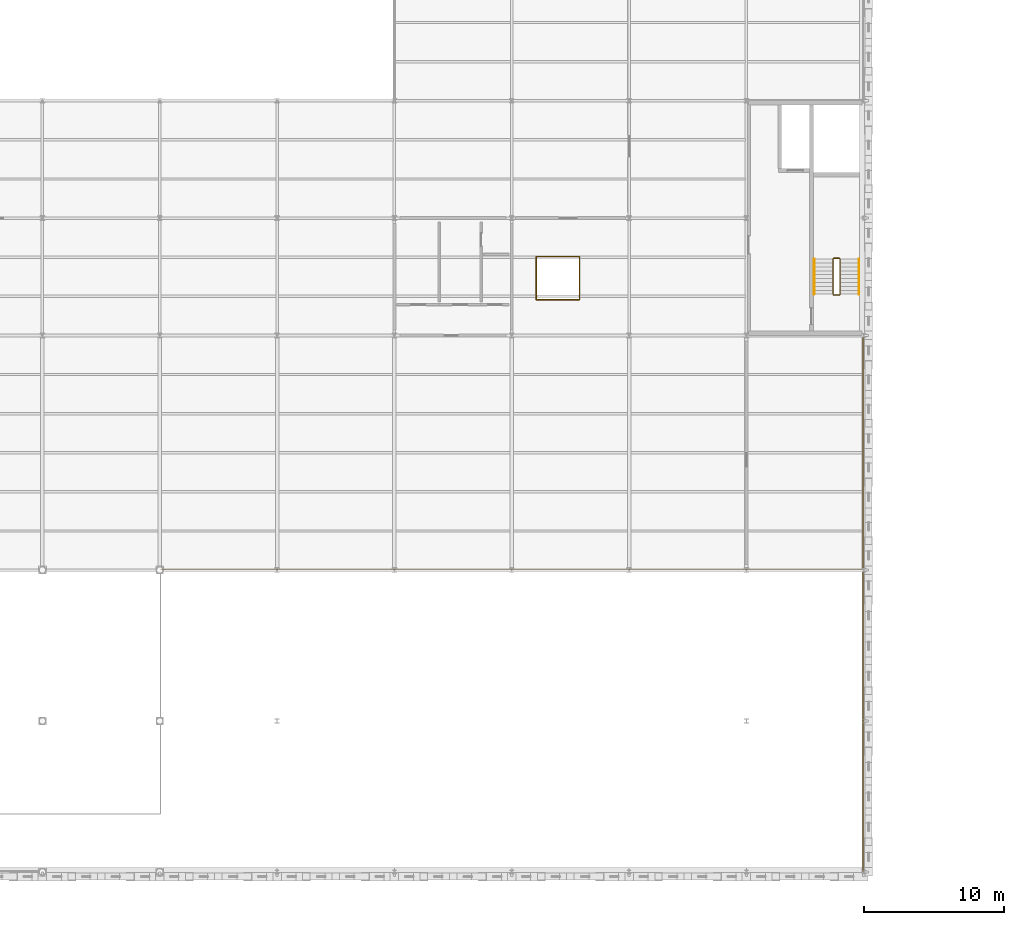
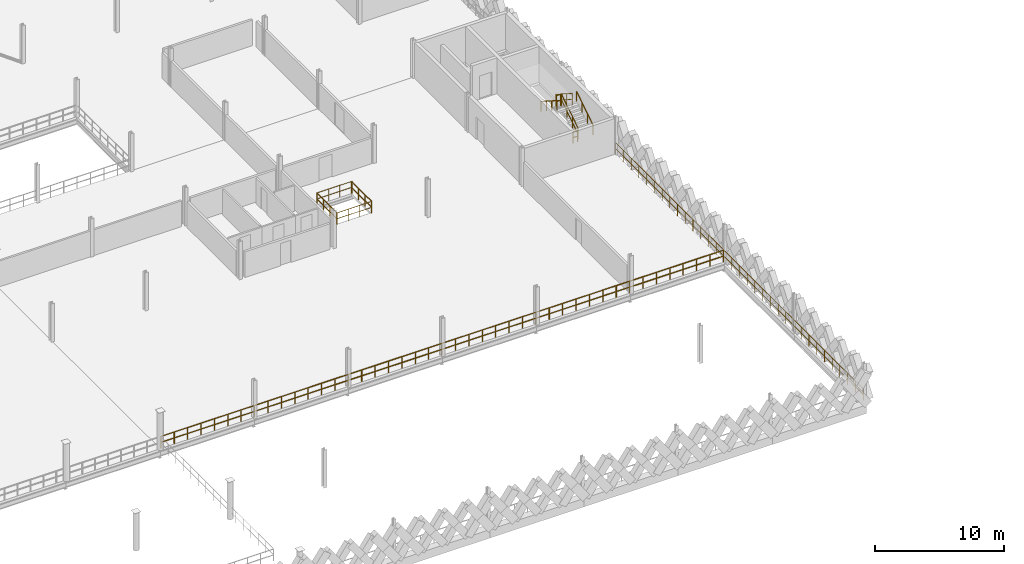
# One storey, part 45 of 47: 12 railings.
"""IFC4 building model written with IfcOpenShell, lengths in metres."""

from ifc_helpers import new_model, si_unit, direction, frame, origin, origin_2d, place, context, subcontext, project, spatial, circle, extrude, material, type_object, element, save


model = new_model("IFC4")

# Units and contexts
model_context = context("Model", 3, precision=1e-05, world=origin(), true_north=direction((0.0, 1.0)))
body_context = subcontext(model_context, "Body", "Model", "MODEL_VIEW")
ifc_project = project(units=[si_unit("LENGTHUNIT", "METRE"), si_unit("AREAUNIT", "SQUARE_METRE"), si_unit("VOLUMEUNIT", "CUBIC_METRE"), si_unit("PLANEANGLEUNIT", "RADIAN"), si_unit("MASSUNIT", "GRAM", prefix="KILO"), si_unit("THERMODYNAMICTEMPERATUREUNIT", "KELVIN"), si_unit("POWERUNIT", "WATT")], contexts=[model_context])

# Site, building, storey
site_placement = place(None, origin())
site = spatial("IfcSite", under=ifc_project, at=site_placement, CompositionType="ELEMENT")
building_placement = place(site_placement, origin())
building = spatial("IfcBuilding", under=site, at=building_placement, Name="Tembeka Court Mobility Hub", CompositionType="ELEMENT")
storey_placement = place(building_placement, frame((0.0, 0.0, 19.800048828125)))
storey = spatial("IfcBuildingStorey", under=building, at=storey_placement, Name="L05", CompositionType="ELEMENT", Elevation=19.800048828125)

# Railings
ifc_material_1 = material(Name="Painted galvanised steel balustrade", Category="steel")
railing_type_1 = type_object("IfcRailingType", Name="RL-GR01", PredefinedType="GUARDRAIL", material=ifc_material_1)
railing_1_placement = place(storey_placement, frame((68.97998046875, 40.949951171875, 0.0)))
element("IfcRailing", 1, at=railing_1_placement, inside=storey, type_object=railing_type_1, Name="Perimeter guard GR01-0163", PredefinedType="GUARDRAIL", context=body_context, shape_type="SweptSolid", body=[
    extrude(circle(Radius=0.02392578125, at=origin_2d()), frame((0.0, 0.0, 1.09619140625), z_axis=(1.0, 0.0, 0.0), x_axis=(0.0, 1.0, 0.0)), (0.0, 0.0, 1.0), 3.0400390625),
    extrude(circle(Radius=0.02392578125, at=origin_2d()), frame((0.0, 0.0, 0.5361328125), z_axis=(1.0, 0.0, 0.0), x_axis=(0.0, 1.0, 0.0)), (0.0, 0.0, 1.0), 3.0400390625),
    extrude(circle(Radius=0.02099609375, at=origin_2d()), origin(), (0.0, 0.0, 1.0), 1.072021484375),
    extrude(circle(Radius=0.02099609375, at=origin_2d()), frame((1.013427734375, 0.0, 0.0)), (0.0, 0.0, 1.0), 1.072021484375),
    extrude(circle(Radius=0.02099609375, at=origin_2d()), frame((2.026611328125, 0.0, 0.0)), (0.0, 0.0, 1.0), 1.072021484375),
    extrude(circle(Radius=0.02099609375, at=origin_2d()), frame((3.0400390625, 0.0, 0.0)), (0.0, 0.0, 1.0), 1.072021484375),
])
railing_2_placement = place(storey_placement, frame((72.050048828125, 40.97998046875, 0.0)))
element("IfcRailing", 2, at=railing_2_placement, inside=storey, type_object=railing_type_1, Name="Perimeter guard GR01-0164", PredefinedType="GUARDRAIL", context=body_context, shape_type="SweptSolid", body=[
    extrude(circle(Radius=0.02392578125, at=origin_2d()), frame((0.0, 0.0, 1.09619140625), z_axis=(0.0, 1.0, 0.0), x_axis=(-1.0, 0.0, 0.0)), (0.0, 0.0, 1.0), 3.0400390625),
    extrude(circle(Radius=0.02392578125, at=origin_2d()), frame((0.0, 0.0, 0.5361328125), z_axis=(0.0, 1.0, 0.0), x_axis=(-1.0, 0.0, 0.0)), (0.0, 0.0, 1.0), 3.0400390625),
    extrude(circle(Radius=0.02099609375, at=origin_2d()), origin(), (0.0, 0.0, 1.0), 1.072021484375),
    extrude(circle(Radius=0.02099609375, at=origin_2d()), frame((0.0, 1.013427734375, 0.0)), (0.0, 0.0, 1.0), 1.072021484375),
    extrude(circle(Radius=0.02099609375, at=origin_2d()), frame((0.0, 2.026611328125, 0.0)), (0.0, 0.0, 1.0), 1.072021484375),
    extrude(circle(Radius=0.02099609375, at=origin_2d()), frame((0.0, 3.0400390625, 0.0)), (0.0, 0.0, 1.0), 1.072021484375),
])
railing_3_placement = place(storey_placement, frame((72.02001953125, 44.050048828125, 0.0)))
element("IfcRailing", 3, at=railing_3_placement, inside=storey, type_object=railing_type_1, Name="Perimeter guard GR01-0165", PredefinedType="GUARDRAIL", context=body_context, shape_type="SweptSolid", body=[
    extrude(circle(Radius=0.02392578125, at=origin_2d()), frame((0.0, 0.0, 1.09619140625), z_axis=(-1.0, 0.0, 0.0), x_axis=(0.0, -1.0, 0.0)), (0.0, 0.0, 1.0), 3.0400390625),
    extrude(circle(Radius=0.02392578125, at=origin_2d()), frame((0.0, 0.0, 0.5361328125), z_axis=(-1.0, 0.0, 0.0), x_axis=(0.0, -1.0, 0.0)), (0.0, 0.0, 1.0), 3.0400390625),
    extrude(circle(Radius=0.02099609375, at=origin_2d()), origin(), (0.0, 0.0, 1.0), 1.072021484375),
    extrude(circle(Radius=0.02099609375, at=origin_2d()), frame((-1.013427734375, 0.0, 0.0)), (0.0, 0.0, 1.0), 1.072021484375),
    extrude(circle(Radius=0.02099609375, at=origin_2d()), frame((-2.026611328125, 0.0, 0.0)), (0.0, 0.0, 1.0), 1.072021484375),
    extrude(circle(Radius=0.02099609375, at=origin_2d()), frame((-3.0400390625, 0.0, 0.0)), (0.0, 0.0, 1.0), 1.072021484375),
])
railing_4_placement = place(storey_placement, frame((68.949951171875, 44.02001953125, 0.0)))
element("IfcRailing", 4, at=railing_4_placement, inside=storey, type_object=railing_type_1, Name="Perimeter guard GR01-0166", PredefinedType="GUARDRAIL", context=body_context, shape_type="SweptSolid", body=[
    extrude(circle(Radius=0.02392578125, at=origin_2d()), frame((0.0, 0.0, 1.09619140625), z_axis=(0.0, -1.0, 0.0), x_axis=(1.0, 0.0, 0.0)), (0.0, 0.0, 1.0), 3.0400390625),
    extrude(circle(Radius=0.02392578125, at=origin_2d()), frame((0.0, 0.0, 0.5361328125), z_axis=(0.0, -1.0, 0.0), x_axis=(1.0, 0.0, 0.0)), (0.0, 0.0, 1.0), 3.0400390625),
    extrude(circle(Radius=0.02099609375, at=origin_2d()), origin(), (0.0, 0.0, 1.0), 1.072021484375),
    extrude(circle(Radius=0.02099609375, at=origin_2d()), frame((0.0, -1.013427734375, 0.0)), (0.0, 0.0, 1.0), 1.072021484375),
    extrude(circle(Radius=0.02099609375, at=origin_2d()), frame((0.0, -2.026611328125, 0.0)), (0.0, 0.0, 1.0), 1.072021484375),
    extrude(circle(Radius=0.02099609375, at=origin_2d()), frame((0.0, -3.0400390625, 0.0)), (0.0, 0.0, 1.0), 1.072021484375),
])
railing_5_placement = place(storey_placement, frame((90.699951171875, 41.35009765625, 0.179931640625)))
element("IfcRailing", 5, at=railing_5_placement, inside=storey, type_object=railing_type_1, Name="L05 ST04 stair guard 1-1", PredefinedType="GUARDRAIL", context=body_context, shape_type="SweptSolid", body=[
    extrude(circle(Radius=0.02392578125, at=origin_2d()), frame((0.0, 0.0, 1.09619140625), z_axis=(0.0, 0.841162588446, 0.540782303519), x_axis=(-1.0, 0.0, 0.0)), (0.0, 0.0, 1.0), 2.995849609375),
    extrude(circle(Radius=0.02392578125, at=origin_2d()), frame((0.0, 0.0, 0.5361328125), z_axis=(0.0, 0.841162588446, 0.540782303519), x_axis=(-1.0, 0.0, 0.0)), (0.0, 0.0, 1.0), 2.995849609375),
    extrude(circle(Radius=0.02099609375, at=origin_2d()), origin(), (0.0, 0.0, 1.0), 1.072021484375),
    extrude(circle(Radius=0.02099609375, at=origin_2d()), frame((0.0, 0.840087890625, 0.5400390625)), (0.0, 0.0, 1.0), 1.072021484375),
    extrude(circle(Radius=0.02099609375, at=origin_2d()), frame((0.0, 1.679931640625, 1.080078125)), (0.0, 0.0, 1.0), 1.072021484375),
    extrude(circle(Radius=0.02099609375, at=origin_2d()), frame((0.0, 2.52001953125, 1.6201171875)), (0.0, 0.0, 1.0), 1.072021484375),
])
railing_6_placement = place(storey_placement, frame((90.64990234375, 43.919921875, 1.800048828125)))
element("IfcRailing", 6, at=railing_6_placement, inside=storey, type_object=railing_type_1, Name="L05 ST04 stair guard 2-1", PredefinedType="GUARDRAIL", context=body_context, shape_type="SweptSolid", body=[
    extrude(circle(Radius=0.02392578125, at=origin_2d()), frame((0.0, 0.0, 1.09619140625), z_axis=(-1.0, 0.0, 0.0), x_axis=(0.0, -1.0, 0.0)), (0.0, 0.0, 1.0), 0.39990234375),
    extrude(circle(Radius=0.02392578125, at=origin_2d()), frame((0.0, 0.0, 0.5361328125), z_axis=(-1.0, 0.0, 0.0), x_axis=(0.0, -1.0, 0.0)), (0.0, 0.0, 1.0), 0.39990234375),
    extrude(circle(Radius=0.02099609375, at=origin_2d()), origin(), (0.0, 0.0, 1.0), 1.072021484375),
    extrude(circle(Radius=0.02099609375, at=origin_2d()), frame((-0.39990234375, 0.0, 0.0)), (0.0, 0.0, 1.0), 1.072021484375),
])
railing_7_placement = place(storey_placement, frame((90.199951171875, 43.8701171875, 1.97998046875)))
element("IfcRailing", 7, at=railing_7_placement, inside=storey, type_object=railing_type_1, Name="L05 ST04 stair guard 3-1", PredefinedType="GUARDRAIL", context=body_context, shape_type="SweptSolid", body=[
    extrude(circle(Radius=0.02392578125, at=origin_2d()), frame((0.0, 0.0, 1.09619140625), z_axis=(0.0, -0.841199657755, 0.540724639528), x_axis=(1.0, 0.0, 0.0)), (0.0, 0.0, 1.0), 2.995849609375),
    extrude(circle(Radius=0.02392578125, at=origin_2d()), frame((0.0, 0.0, 0.5361328125), z_axis=(0.0, -0.841199657755, 0.540724639528), x_axis=(1.0, 0.0, 0.0)), (0.0, 0.0, 1.0), 2.995849609375),
    extrude(circle(Radius=0.02099609375, at=origin_2d()), origin(), (0.0, 0.0, 1.0), 1.072021484375),
    extrude(circle(Radius=0.02099609375, at=origin_2d()), frame((0.0, -0.840087890625, 0.5400390625)), (0.0, 0.0, 1.0), 1.072021484375),
    extrude(circle(Radius=0.02099609375, at=origin_2d()), frame((0.0, -1.679931640625, 1.079833984375)), (0.0, 0.0, 1.0), 1.072021484375),
    extrude(circle(Radius=0.02099609375, at=origin_2d()), frame((0.0, -2.52001953125, 1.619873046875)), (0.0, 0.0, 1.0), 1.072021484375),
])
railing_8_placement = place(storey_placement, frame((90.64990234375, 41.300048828125, 0.0)))
element("IfcRailing", 8, at=railing_8_placement, inside=storey, type_object=railing_type_1, Name="L05 ST04 stair guard 4-1", PredefinedType="GUARDRAIL", context=body_context, shape_type="SweptSolid", body=[
    extrude(circle(Radius=0.02392578125, at=origin_2d()), frame((0.0, 0.0, 1.09619140625), z_axis=(-1.0, 0.0, 0.0), x_axis=(0.0, -1.0, 0.0)), (0.0, 0.0, 1.0), 0.39990234375),
    extrude(circle(Radius=0.02392578125, at=origin_2d()), frame((0.0, 0.0, 0.5361328125), z_axis=(-1.0, 0.0, 0.0), x_axis=(0.0, -1.0, 0.0)), (0.0, 0.0, 1.0), 0.39990234375),
    extrude(circle(Radius=0.02099609375, at=origin_2d()), origin(), (0.0, 0.0, 1.0), 1.072021484375),
    extrude(circle(Radius=0.02099609375, at=origin_2d()), frame((-0.39990234375, 0.0, 0.0)), (0.0, 0.0, 1.0), 1.072021484375),
])
railing_type_2 = type_object("IfcRailingType", Name="RL-GR02", PredefinedType="GUARDRAIL", material=ifc_material_1)
railing_9_placement = place(storey_placement, frame((42.080078125, 21.64990234375, 0.0)))
element("IfcRailing", 9, at=railing_9_placement, inside=storey, type_object=railing_type_2, Name="Perimeter guard GR02-0037", PredefinedType="GUARDRAIL", context=body_context, shape_type="SweptSolid", body=[
    extrude(circle(Radius=0.02392578125, at=origin_2d()), frame((0.0, 0.0, 1.09619140625), z_axis=(1.0, 0.0, 0.0), x_axis=(0.0, 1.0, 0.0)), (0.0, 0.0, 1.0), 50.239990234375),
    extrude(circle(Radius=0.02392578125, at=origin_2d()), frame((0.0, 0.0, 0.5361328125), z_axis=(1.0, 0.0, 0.0), x_axis=(0.0, 1.0, 0.0)), (0.0, 0.0, 1.0), 50.239990234375),
    extrude(circle(Radius=0.02099609375, at=origin_2d()), origin(), (0.0, 0.0, 1.0), 1.072021484375),
    extrude(circle(Radius=0.02099609375, at=origin_2d()), frame((1.1962890625, 0.0, 0.0)), (0.0, 0.0, 1.0), 1.072021484375),
    extrude(circle(Radius=0.02099609375, at=origin_2d()), frame((2.392333984375, 0.0, 0.0)), (0.0, 0.0, 1.0), 1.072021484375),
    extrude(circle(Radius=0.02099609375, at=origin_2d()), frame((3.588623046875, 0.0, 0.0)), (0.0, 0.0, 1.0), 1.072021484375),
    extrude(circle(Radius=0.02099609375, at=origin_2d()), frame((4.78466796875, 0.0, 0.0)), (0.0, 0.0, 1.0), 1.072021484375),
    extrude(circle(Radius=0.02099609375, at=origin_2d()), frame((5.98095703125, 0.0, 0.0)), (0.0, 0.0, 1.0), 1.072021484375),
    extrude(circle(Radius=0.02099609375, at=origin_2d()), frame((7.17724609375, 0.0, 0.0)), (0.0, 0.0, 1.0), 1.072021484375),
    extrude(circle(Radius=0.02099609375, at=origin_2d()), frame((8.373291015625, 0.0, 0.0)), (0.0, 0.0, 1.0), 1.072021484375),
    extrude(circle(Radius=0.02099609375, at=origin_2d()), frame((9.569580078125, 0.0, 0.0)), (0.0, 0.0, 1.0), 1.072021484375),
    extrude(circle(Radius=0.02099609375, at=origin_2d()), frame((10.765625, 0.0, 0.0)), (0.0, 0.0, 1.0), 1.072021484375),
    extrude(circle(Radius=0.02099609375, at=origin_2d()), frame((11.9619140625, 0.0, 0.0)), (0.0, 0.0, 1.0), 1.072021484375),
    extrude(circle(Radius=0.02099609375, at=origin_2d()), frame((13.158203125, 0.0, 0.0)), (0.0, 0.0, 1.0), 1.072021484375),
    extrude(circle(Radius=0.02099609375, at=origin_2d()), frame((14.354248046875, 0.0, 0.0)), (0.0, 0.0, 1.0), 1.072021484375),
    extrude(circle(Radius=0.02099609375, at=origin_2d()), frame((15.550537109375, 0.0, 0.0)), (0.0, 0.0, 1.0), 1.072021484375),
    extrude(circle(Radius=0.02099609375, at=origin_2d()), frame((16.74658203125, 0.0, 0.0)), (0.0, 0.0, 1.0), 1.072021484375),
    extrude(circle(Radius=0.02099609375, at=origin_2d()), frame((17.94287109375, 0.0, 0.0)), (0.0, 0.0, 1.0), 1.072021484375),
    extrude(circle(Radius=0.02099609375, at=origin_2d()), frame((19.13916015625, 0.0, 0.0)), (0.0, 0.0, 1.0), 1.072021484375),
    extrude(circle(Radius=0.02099609375, at=origin_2d()), frame((20.335205078125, 0.0, 0.0)), (0.0, 0.0, 1.0), 1.072021484375),
    extrude(circle(Radius=0.02099609375, at=origin_2d()), frame((21.531494140625, 0.0, 0.0)), (0.0, 0.0, 1.0), 1.072021484375),
    extrude(circle(Radius=0.02099609375, at=origin_2d()), frame((22.7275390625, 0.0, 0.0)), (0.0, 0.0, 1.0), 1.072021484375),
    extrude(circle(Radius=0.02099609375, at=origin_2d()), frame((23.923828125, 0.0, 0.0)), (0.0, 0.0, 1.0), 1.072021484375),
    extrude(circle(Radius=0.02099609375, at=origin_2d()), frame((25.1201171875, 0.0, 0.0)), (0.0, 0.0, 1.0), 1.072021484375),
    extrude(circle(Radius=0.02099609375, at=origin_2d()), frame((26.316162109375, 0.0, 0.0)), (0.0, 0.0, 1.0), 1.072021484375),
    extrude(circle(Radius=0.02099609375, at=origin_2d()), frame((27.512451171875, 0.0, 0.0)), (0.0, 0.0, 1.0), 1.072021484375),
    extrude(circle(Radius=0.02099609375, at=origin_2d()), frame((28.70849609375, 0.0, 0.0)), (0.0, 0.0, 1.0), 1.072021484375),
    extrude(circle(Radius=0.02099609375, at=origin_2d()), frame((29.90478515625, 0.0, 0.0)), (0.0, 0.0, 1.0), 1.072021484375),
    extrude(circle(Radius=0.02099609375, at=origin_2d()), frame((31.100830078125, 0.0, 0.0)), (0.0, 0.0, 1.0), 1.072021484375),
    extrude(circle(Radius=0.02099609375, at=origin_2d()), frame((32.297119140625, 0.0, 0.0)), (0.0, 0.0, 1.0), 1.072021484375),
    extrude(circle(Radius=0.02099609375, at=origin_2d()), frame((33.493408203125, 0.0, 0.0)), (0.0, 0.0, 1.0), 1.072021484375),
    extrude(circle(Radius=0.02099609375, at=origin_2d()), frame((34.689453125, 0.0, 0.0)), (0.0, 0.0, 1.0), 1.072021484375),
    extrude(circle(Radius=0.02099609375, at=origin_2d()), frame((35.8857421875, 0.0, 0.0)), (0.0, 0.0, 1.0), 1.072021484375),
    extrude(circle(Radius=0.02099609375, at=origin_2d()), frame((37.081787109375, 0.0, 0.0)), (0.0, 0.0, 1.0), 1.072021484375),
    extrude(circle(Radius=0.02099609375, at=origin_2d()), frame((38.278076171875, 0.0, 0.0)), (0.0, 0.0, 1.0), 1.072021484375),
    extrude(circle(Radius=0.02099609375, at=origin_2d()), frame((39.474365234375, 0.0, 0.0)), (0.0, 0.0, 1.0), 1.072021484375),
    extrude(circle(Radius=0.02099609375, at=origin_2d()), frame((40.67041015625, 0.0, 0.0)), (0.0, 0.0, 1.0), 1.072021484375),
    extrude(circle(Radius=0.02099609375, at=origin_2d()), frame((41.86669921875, 0.0, 0.0)), (0.0, 0.0, 1.0), 1.072021484375),
    extrude(circle(Radius=0.02099609375, at=origin_2d()), frame((43.062744140625, 0.0, 0.0)), (0.0, 0.0, 1.0), 1.072021484375),
    extrude(circle(Radius=0.02099609375, at=origin_2d()), frame((44.259033203125, 0.0, 0.0)), (0.0, 0.0, 1.0), 1.072021484375),
    extrude(circle(Radius=0.02099609375, at=origin_2d()), frame((45.455322265625, 0.0, 0.0)), (0.0, 0.0, 1.0), 1.072021484375),
    extrude(circle(Radius=0.02099609375, at=origin_2d()), frame((46.6513671875, 0.0, 0.0)), (0.0, 0.0, 1.0), 1.072021484375),
    extrude(circle(Radius=0.02099609375, at=origin_2d()), frame((47.84765625, 0.0, 0.0)), (0.0, 0.0, 1.0), 1.072021484375),
    extrude(circle(Radius=0.02099609375, at=origin_2d()), frame((49.043701171875, 0.0, 0.0)), (0.0, 0.0, 1.0), 1.072021484375),
    extrude(circle(Radius=0.02099609375, at=origin_2d()), frame((50.239990234375, 0.0, 0.0)), (0.0, 0.0, 1.0), 1.072021484375),
])
railing_10_placement = place(storey_placement, frame((92.35009765625, 0.080078125, 0.0)))
element("IfcRailing", 10, at=railing_10_placement, inside=storey, type_object=railing_type_2, Name="Perimeter guard GR02-0172", PredefinedType="GUARDRAIL", context=body_context, shape_type="SweptSolid", body=[
    extrude(circle(Radius=0.02392578125, at=origin_2d()), frame((0.0, 0.0, 1.09619140625), z_axis=(0.0, 1.0, 0.0), x_axis=(-1.0, 0.0, 0.0)), (0.0, 0.0, 1.0), 38.2900390625),
    extrude(circle(Radius=0.02392578125, at=origin_2d()), frame((0.0, 0.0, 0.5361328125), z_axis=(0.0, 1.0, 0.0), x_axis=(-1.0, 0.0, 0.0)), (0.0, 0.0, 1.0), 38.2900390625),
    extrude(circle(Radius=0.02099609375, at=origin_2d()), origin(), (0.0, 0.0, 1.0), 1.072021484375),
    extrude(circle(Radius=0.02099609375, at=origin_2d()), frame((0.0, 1.196533203125, 0.0)), (0.0, 0.0, 1.0), 1.072021484375),
    extrude(circle(Radius=0.02099609375, at=origin_2d()), frame((0.0, 2.39306640625, 0.0)), (0.0, 0.0, 1.0), 1.072021484375),
    extrude(circle(Radius=0.02099609375, at=origin_2d()), frame((0.0, 3.589599609375, 0.0)), (0.0, 0.0, 1.0), 1.072021484375),
    extrude(circle(Radius=0.02099609375, at=origin_2d()), frame((0.0, 4.7861328125, 0.0)), (0.0, 0.0, 1.0), 1.072021484375),
    extrude(circle(Radius=0.02099609375, at=origin_2d()), frame((0.0, 5.98291015625, 0.0)), (0.0, 0.0, 1.0), 1.072021484375),
    extrude(circle(Radius=0.02099609375, at=origin_2d()), frame((0.0, 7.179443359375, 0.0)), (0.0, 0.0, 1.0), 1.072021484375),
    extrude(circle(Radius=0.02099609375, at=origin_2d()), frame((0.0, 8.3759765625, 0.0)), (0.0, 0.0, 1.0), 1.072021484375),
    extrude(circle(Radius=0.02099609375, at=origin_2d()), frame((0.0, 9.572509765625, 0.0)), (0.0, 0.0, 1.0), 1.072021484375),
    extrude(circle(Radius=0.02099609375, at=origin_2d()), frame((0.0, 10.76904296875, 0.0)), (0.0, 0.0, 1.0), 1.072021484375),
    extrude(circle(Radius=0.02099609375, at=origin_2d()), frame((0.0, 11.965576171875, 0.0)), (0.0, 0.0, 1.0), 1.072021484375),
    extrude(circle(Radius=0.02099609375, at=origin_2d()), frame((0.0, 13.162109375, 0.0)), (0.0, 0.0, 1.0), 1.072021484375),
    extrude(circle(Radius=0.02099609375, at=origin_2d()), frame((0.0, 14.35888671875, 0.0)), (0.0, 0.0, 1.0), 1.072021484375),
    extrude(circle(Radius=0.02099609375, at=origin_2d()), frame((0.0, 15.555419921875, 0.0)), (0.0, 0.0, 1.0), 1.072021484375),
    extrude(circle(Radius=0.02099609375, at=origin_2d()), frame((0.0, 16.751953125, 0.0)), (0.0, 0.0, 1.0), 1.072021484375),
    extrude(circle(Radius=0.02099609375, at=origin_2d()), frame((0.0, 17.948486328125, 0.0)), (0.0, 0.0, 1.0), 1.072021484375),
    extrude(circle(Radius=0.02099609375, at=origin_2d()), frame((0.0, 19.14501953125, 0.0)), (0.0, 0.0, 1.0), 1.072021484375),
    extrude(circle(Radius=0.02099609375, at=origin_2d()), frame((0.0, 20.341552734375, 0.0)), (0.0, 0.0, 1.0), 1.072021484375),
    extrude(circle(Radius=0.02099609375, at=origin_2d()), frame((0.0, 21.5380859375, 0.0)), (0.0, 0.0, 1.0), 1.072021484375),
    extrude(circle(Radius=0.02099609375, at=origin_2d()), frame((0.0, 22.734619140625, 0.0)), (0.0, 0.0, 1.0), 1.072021484375),
    extrude(circle(Radius=0.02099609375, at=origin_2d()), frame((0.0, 23.93115234375, 0.0)), (0.0, 0.0, 1.0), 1.072021484375),
    extrude(circle(Radius=0.02099609375, at=origin_2d()), frame((0.0, 25.1279296875, 0.0)), (0.0, 0.0, 1.0), 1.072021484375),
    extrude(circle(Radius=0.02099609375, at=origin_2d()), frame((0.0, 26.324462890625, 0.0)), (0.0, 0.0, 1.0), 1.072021484375),
    extrude(circle(Radius=0.02099609375, at=origin_2d()), frame((0.0, 27.52099609375, 0.0)), (0.0, 0.0, 1.0), 1.072021484375),
    extrude(circle(Radius=0.02099609375, at=origin_2d()), frame((0.0, 28.717529296875, 0.0)), (0.0, 0.0, 1.0), 1.072021484375),
    extrude(circle(Radius=0.02099609375, at=origin_2d()), frame((0.0, 29.9140625, 0.0)), (0.0, 0.0, 1.0), 1.072021484375),
    extrude(circle(Radius=0.02099609375, at=origin_2d()), frame((0.0, 31.110595703125, 0.0)), (0.0, 0.0, 1.0), 1.072021484375),
    extrude(circle(Radius=0.02099609375, at=origin_2d()), frame((0.0, 32.30712890625, 0.0)), (0.0, 0.0, 1.0), 1.072021484375),
    extrude(circle(Radius=0.02099609375, at=origin_2d()), frame((0.0, 33.50390625, 0.0)), (0.0, 0.0, 1.0), 1.072021484375),
    extrude(circle(Radius=0.02099609375, at=origin_2d()), frame((0.0, 34.700439453125, 0.0)), (0.0, 0.0, 1.0), 1.072021484375),
    extrude(circle(Radius=0.02099609375, at=origin_2d()), frame((0.0, 35.89697265625, 0.0)), (0.0, 0.0, 1.0), 1.072021484375),
    extrude(circle(Radius=0.02099609375, at=origin_2d()), frame((0.0, 37.093505859375, 0.0)), (0.0, 0.0, 1.0), 1.072021484375),
    extrude(circle(Radius=0.02099609375, at=origin_2d()), frame((0.0, 38.2900390625, 0.0)), (0.0, 0.0, 1.0), 1.072021484375),
])
ifc_material_2 = material(Name="Brushed stainless steel handrail", Category="steel")
railing_type_3 = type_object("IfcRailingType", Name="RL-HR01", PredefinedType="HANDRAIL", material=ifc_material_2)
railing_11_placement = place(storey_placement, frame((92.050048828125, 41.35009765625, 0.179931640625)))
element("IfcRailing", 11, at=railing_11_placement, inside=storey, type_object=railing_type_3, Name="L05 ST04 handrail 1-1", PredefinedType="HANDRAIL", context=body_context, shape_type="SweptSolid", body=[
    extrude(circle(Radius=0.02392578125, at=origin_2d()), frame((0.0, 0.0, 0.89599609375), z_axis=(0.0, 0.841162588446, 0.540782303519), x_axis=(-1.0, 0.0, 0.0)), (0.0, 0.0, 1.0), 2.995849609375),
    extrude(circle(Radius=0.02099609375, at=origin_2d()), origin(), (0.0, 0.0, 1.0), 0.871826171875),
    extrude(circle(Radius=0.02099609375, at=origin_2d()), frame((0.0, 0.840087890625, 0.5400390625)), (0.0, 0.0, 1.0), 0.871826171875),
    extrude(circle(Radius=0.02099609375, at=origin_2d()), frame((0.0, 1.679931640625, 1.080078125)), (0.0, 0.0, 1.0), 0.871826171875),
    extrude(circle(Radius=0.02099609375, at=origin_2d()), frame((0.0, 2.52001953125, 1.6201171875)), (0.0, 0.0, 1.0), 0.871826171875),
])
railing_12_placement = place(storey_placement, frame((88.85009765625, 43.8701171875, 1.97998046875)))
element("IfcRailing", 12, at=railing_12_placement, inside=storey, type_object=railing_type_3, Name="L05 ST04 handrail 2-1", PredefinedType="HANDRAIL", context=body_context, shape_type="SweptSolid", body=[
    extrude(circle(Radius=0.02392578125, at=origin_2d()), frame((0.0, 0.0, 0.89599609375), z_axis=(0.0, -0.841199657755, 0.540724639528), x_axis=(1.0, 0.0, 0.0)), (0.0, 0.0, 1.0), 2.995849609375),
    extrude(circle(Radius=0.02099609375, at=origin_2d()), origin(), (0.0, 0.0, 1.0), 0.871826171875),
    extrude(circle(Radius=0.02099609375, at=origin_2d()), frame((0.0, -0.840087890625, 0.5400390625)), (0.0, 0.0, 1.0), 0.871826171875),
    extrude(circle(Radius=0.02099609375, at=origin_2d()), frame((0.0, -1.679931640625, 1.079833984375)), (0.0, 0.0, 1.0), 0.871826171875),
    extrude(circle(Radius=0.02099609375, at=origin_2d()), frame((0.0, -2.52001953125, 1.619873046875)), (0.0, 0.0, 1.0), 0.871826171875),
])

save(model, "model.ifc")
